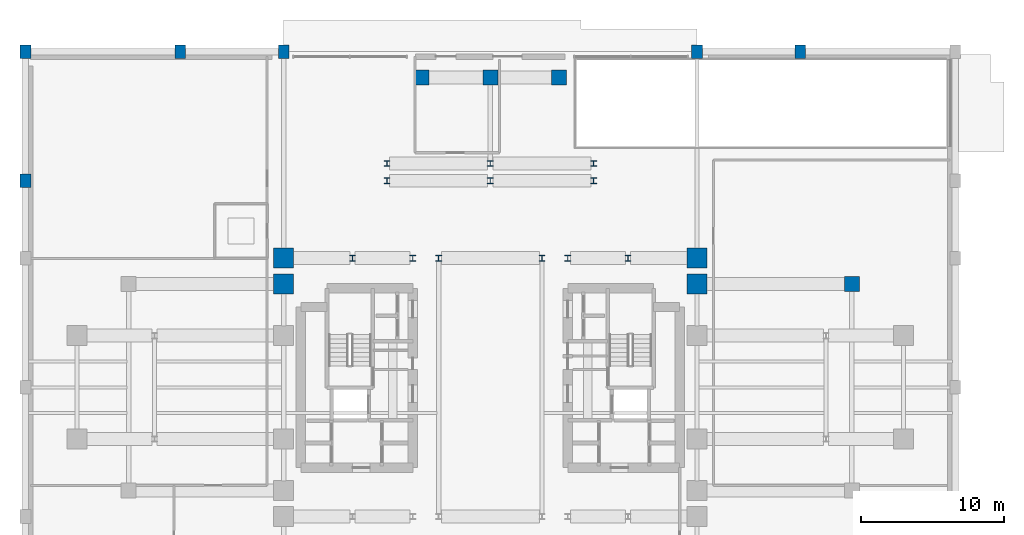
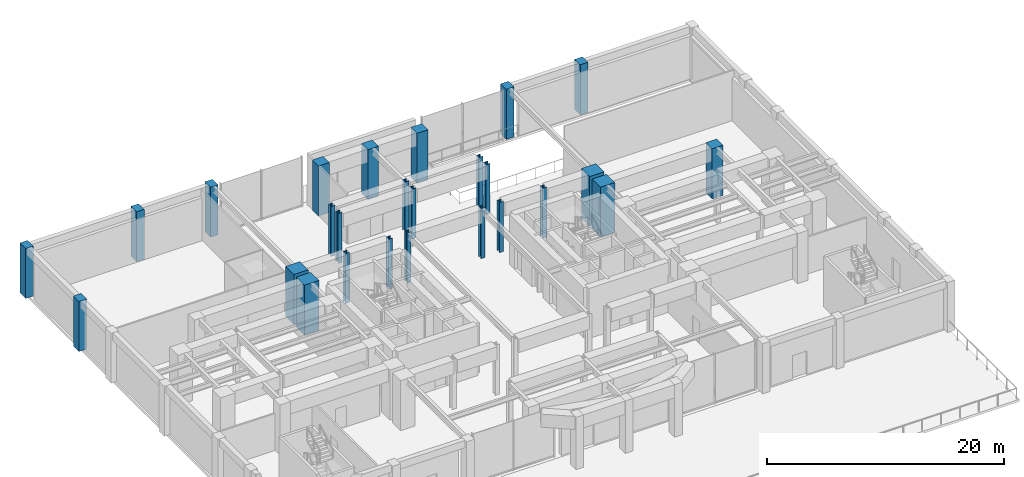
# One storey, part 2 of 17: 26 columns.
"""IFC4 building model written with IfcOpenShell, lengths in metres."""

from ifc_helpers import new_model, si_unit, direction, frame, origin, origin_2d, place, context, subcontext, project, spatial, rectangle, i_section, extrude, source, transform, mapped, material, material_profile, profile_set, type_object, element, save


model = new_model("IFC4")

# Units and contexts
model_context = context("Model", 3, precision=1e-05, world=origin(), true_north=direction((0.0, 1.0)))
body_context = subcontext(model_context, "Body", "Model", "MODEL_VIEW")
ifc_project = project(units=[si_unit("LENGTHUNIT", "METRE"), si_unit("AREAUNIT", "SQUARE_METRE"), si_unit("VOLUMEUNIT", "CUBIC_METRE"), si_unit("PLANEANGLEUNIT", "RADIAN"), si_unit("MASSUNIT", "GRAM", prefix="KILO")], contexts=[model_context])

# Site, building, storey
site_placement = place(None, origin())
site = spatial("IfcSite", under=ifc_project, at=site_placement, CompositionType="ELEMENT")
building_placement = place(site_placement, origin())
building = spatial("IfcBuilding", under=site, at=building_placement, Name="Keilestroom Media Tower", CompositionType="ELEMENT")
storey_placement = place(building_placement, origin())
storey = spatial("IfcBuildingStorey", under=building, at=storey_placement, Name="L00", CompositionType="ELEMENT", Elevation=0.0)

# Columns
ifc_material_1 = material(Name="Precast concrete C40/50", Category="concrete")
ifc_material_profile_1 = material_profile(ifc_material_1, rectangle(XDim=0.75, YDim=0.949951171875, at=origin_2d()), Name="PC 950x750")
ifc_profile_set_1 = profile_set([ifc_material_profile_1], Name="Precast concrete C40/50")
column_type_1 = type_object("IfcColumnType", Name="Structural-Column-PC-950x750", PredefinedType="COLUMN", material=ifc_profile_set_1)
shared_shape_1 = source(origin(), body_context, "Body", "SweptSolid", [
    extrude(rectangle(XDim=0.75, YDim=0.949951171875, at=origin_2d()), origin(), (0.0, 0.0, 1.0), 5.14990234375),
])
for number, where, z_axis, x_axis, name in (
    (1, (-32.39990234375, 14.39990234375, 0.0), (0.0, 0.0, 1.0), (1.0, 0.0, 0.0), "L00 Column PC-1 (-32.4,+14.4)"),
    (2, (-32.39990234375, 23.39990234375, 0.0), (0.0, 0.0, 1.0), (1.0, 0.0, 0.0), "L00 Column PC-1 (-32.4,+23.4)"),
    (3, (-21.60009765625, 23.39990234375, 0.0), (0.0, 0.0, 1.0), (1.0, 0.0, 0.0), "L00 Column PC-1 (-21.6,+23.4)"),
    (4, (-14.39990234375, 23.39990234375, 0.0), (0.0, 0.0, 1.0), (1.0, 0.0, 0.0), "L00 Column PC-1 (-14.4,+23.4)"),
    (5, (14.39990234375, 23.39990234375, 0.0), (0.0, 0.0, 1.0), (1.0, 0.0, 0.0), "L00 Column PC-1 (+14.4,+23.4)"),
    (6, (21.60009765625, 23.39990234375, 0.0), (0.0, 0.0, 1.0), (1.0, 0.0, 0.0), "L00 Column PC-1 (+21.6,+23.4)"),
):
    element("IfcColumn", number, at=place(storey_placement, frame(where, z_axis=z_axis, x_axis=x_axis)), inside=storey, type_object=column_type_1, Name=name, PredefinedType="COLUMN", context=body_context, shape_type="MappedRepresentation", body=[
        mapped(shared_shape_1, transform((0.0, 0.0, 0.0), x_axis=(1.0, 0.0, 0.0), y_axis=(0.0, 1.0, 0.0), z_axis=(0.0, 0.0, 1.0), scale=1.0)),
    ])
ifc_material_2 = material(Name="Concrete C70/85", Category="concrete")
ifc_material_profile_2 = material_profile(ifc_material_2, rectangle(XDim=1.39990234375, YDim=1.39990234375, at=origin_2d()), Name="RC 1400x1400")
ifc_profile_set_2 = profile_set([ifc_material_profile_2], Name="Concrete C70/85")
column_type_2 = type_object("IfcColumnType", Name="Structural-Column-RC-1400x1400", PredefinedType="COLUMN", material=ifc_profile_set_2)
shared_shape_2 = source(origin(), body_context, "Body", "SweptSolid", [
    extrude(rectangle(XDim=1.39990234375, YDim=1.39990234375, at=origin_2d()), origin(), (0.0, 0.0, 1.0), 5.14990234375),
])
for number, where, z_axis, x_axis, name in (
    (7, (-14.39990234375, 7.199951171875, 0.0), (0.0, 0.0, 1.0), (1.0, 0.0, 0.0), "L00 Column MC-1 (-14.4,+7.2)"),
    (8, (-14.39990234375, 9.0, 0.0), (0.0, 0.0, 1.0), (1.0, 0.0, 0.0), "L00 Column MC-1 (-14.4,+9.0)"),
    (9, (14.39990234375, 7.199951171875, 0.0), (0.0, 0.0, 1.0), (1.0, 0.0, 0.0), "L00 Column MC-1 (+14.4,+7.2)"),
    (10, (14.39990234375, 9.0, 0.0), (0.0, 0.0, 1.0), (1.0, 0.0, 0.0), "L00 Column MC-1 (+14.4,+9.0)"),
):
    element("IfcColumn", number, at=place(storey_placement, frame(where, z_axis=z_axis, x_axis=x_axis)), inside=storey, type_object=column_type_2, Name=name, PredefinedType="COLUMN", context=body_context, shape_type="MappedRepresentation", body=[
        mapped(shared_shape_2, transform((0.0, 0.0, 0.0), x_axis=(1.0, 0.0, 0.0), y_axis=(0.0, 1.0, 0.0), z_axis=(0.0, 0.0, 1.0), scale=1.0)),
    ])
ifc_material_3 = material(Name="Concrete C55/67", Category="concrete")
ifc_material_profile_3 = material_profile(ifc_material_3, rectangle(XDim=1.050048828125, YDim=1.050048828125, at=origin_2d()), Name="RC 1050x1050")
ifc_profile_set_3 = profile_set([ifc_material_profile_3], Name="Concrete C55/67")
column_type_3 = type_object("IfcColumnType", Name="Structural-Column-RC-1050x1050", PredefinedType="COLUMN", material=ifc_profile_set_3)
shared_shape_3 = source(origin(), body_context, "Body", "SweptSolid", [
    extrude(rectangle(XDim=1.050048828125, YDim=1.050048828125, at=origin_2d()), origin(), (0.0, 0.0, 1.0), 5.14990234375),
])
for number, where, z_axis, x_axis, name in (
    (11, (-4.800048828125, 21.60009765625, 0.0), (0.0, 0.0, 1.0), (1.0, 0.0, 0.0), "L00 Column MC-3 (-4.8,+21.6)"),
    (12, (0.0, 21.60009765625, 0.0), (0.0, 0.0, 1.0), (1.0, 0.0, 0.0), "L00 Column MC-3 (+0.0,+21.6)"),
    (13, (4.800048828125, 21.60009765625, 0.0), (0.0, 0.0, 1.0), (1.0, 0.0, 0.0), "L00 Column MC-3 (+4.8,+21.6)"),
    (14, (25.199951171875, 7.199951171875, 0.0), (0.0, 0.0, 1.0), (1.0, 0.0, 0.0), "L00 Column MC-3 (+25.2,+7.2)"),
):
    element("IfcColumn", number, at=place(storey_placement, frame(where, z_axis=z_axis, x_axis=x_axis)), inside=storey, type_object=column_type_3, Name=name, PredefinedType="COLUMN", context=body_context, shape_type="MappedRepresentation", body=[
        mapped(shared_shape_3, transform((0.0, 0.0, 0.0), x_axis=(1.0, 0.0, 0.0), y_axis=(0.0, 1.0, 0.0), z_axis=(0.0, 0.0, 1.0), scale=1.0)),
    ])
ifc_material_4 = material(Name="Steel S460", Category="steel")
ifc_material_profile_4 = material_profile(ifc_material_4, i_section(OverallWidth=0.406005859375, OverallDepth=0.416015625, WebThickness=0.02392578125, FlangeThickness=0.0390625, at=origin_2d()), Name="HD 400x382")
ifc_profile_set_4 = profile_set([ifc_material_profile_4], Name="Steel S460")
column_type_4 = type_object("IfcColumnType", Name="Structural-Column-HD-400x382", PredefinedType="COLUMN", material=ifc_profile_set_4)
shared_shape_4 = source(origin(), body_context, "Body", "SweptSolid", [
    extrude(i_section(OverallWidth=0.406005859375, OverallDepth=0.416015625, WebThickness=0.02392578125, FlangeThickness=0.0390625, at=origin_2d()), origin(), (0.0, 0.0, 1.0), 5.14990234375),
])
for number, where, z_axis, x_axis, name in (
    (15, (-9.60009765625, 9.0, 0.0), (0.0, 0.0, 1.0), (1.0, 0.0, 0.0), "L00 Column SC-1 (-9.6,+9.0)"),
    (16, (-7.199951171875, 14.39990234375, 0.0), (0.0, 0.0, 1.0), (1.0, 0.0, 0.0), "L00 Column SC-1 (-7.2,+14.4)"),
    (17, (-7.199951171875, 15.60009765625, 0.0), (0.0, 0.0, 1.0), (1.0, 0.0, 0.0), "L00 Column SC-1 (-7.2,+15.6)"),
    (18, (-5.39990234375, 9.0, 0.0), (0.0, 0.0, 1.0), (1.0, 0.0, 0.0), "L00 Column SC-1 (-5.4,+9.0)"),
    (19, (-3.60009765625, 9.0, 0.0), (0.0, 0.0, 1.0), (1.0, 0.0, 0.0), "L00 Column SC-1 (-3.6,+9.0)"),
    (20, (0.0, 14.39990234375, 0.0), (0.0, 0.0, 1.0), (1.0, 0.0, 0.0), "L00 Column SC-1 (+0.0,+14.4)"),
    (21, (0.0, 15.60009765625, 0.0), (0.0, 0.0, 1.0), (1.0, 0.0, 0.0), "L00 Column SC-1 (+0.0,+15.6)"),
    (22, (3.60009765625, 9.0, 0.0), (0.0, 0.0, 1.0), (1.0, 0.0, 0.0), "L00 Column SC-1 (+3.6,+9.0)"),
    (23, (5.39990234375, 9.0, 0.0), (0.0, 0.0, 1.0), (1.0, 0.0, 0.0), "L00 Column SC-1 (+5.4,+9.0)"),
    (24, (7.199951171875, 14.39990234375, 0.0), (0.0, 0.0, 1.0), (1.0, 0.0, 0.0), "L00 Column SC-1 (+7.2,+14.4)"),
    (25, (7.199951171875, 15.60009765625, 0.0), (0.0, 0.0, 1.0), (1.0, 0.0, 0.0), "L00 Column SC-1 (+7.2,+15.6)"),
    (26, (9.60009765625, 9.0, 0.0), (0.0, 0.0, 1.0), (1.0, 0.0, 0.0), "L00 Column SC-1 (+9.6,+9.0)"),
):
    element("IfcColumn", number, at=place(storey_placement, frame(where, z_axis=z_axis, x_axis=x_axis)), inside=storey, type_object=column_type_4, Name=name, PredefinedType="COLUMN", context=body_context, shape_type="MappedRepresentation", body=[
        mapped(shared_shape_4, transform((0.0, 0.0, 0.0), x_axis=(1.0, 0.0, 0.0), y_axis=(0.0, 1.0, 0.0), z_axis=(0.0, 0.0, 1.0), scale=1.0)),
    ])

save(model, "model.ifc")
